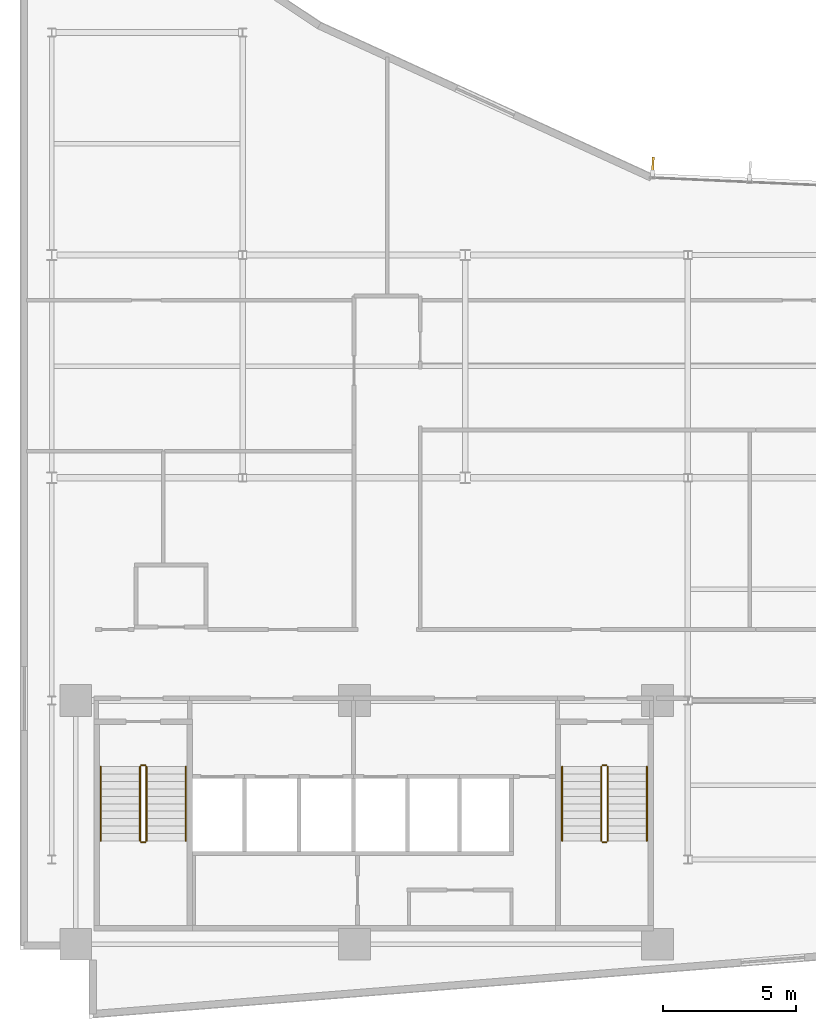
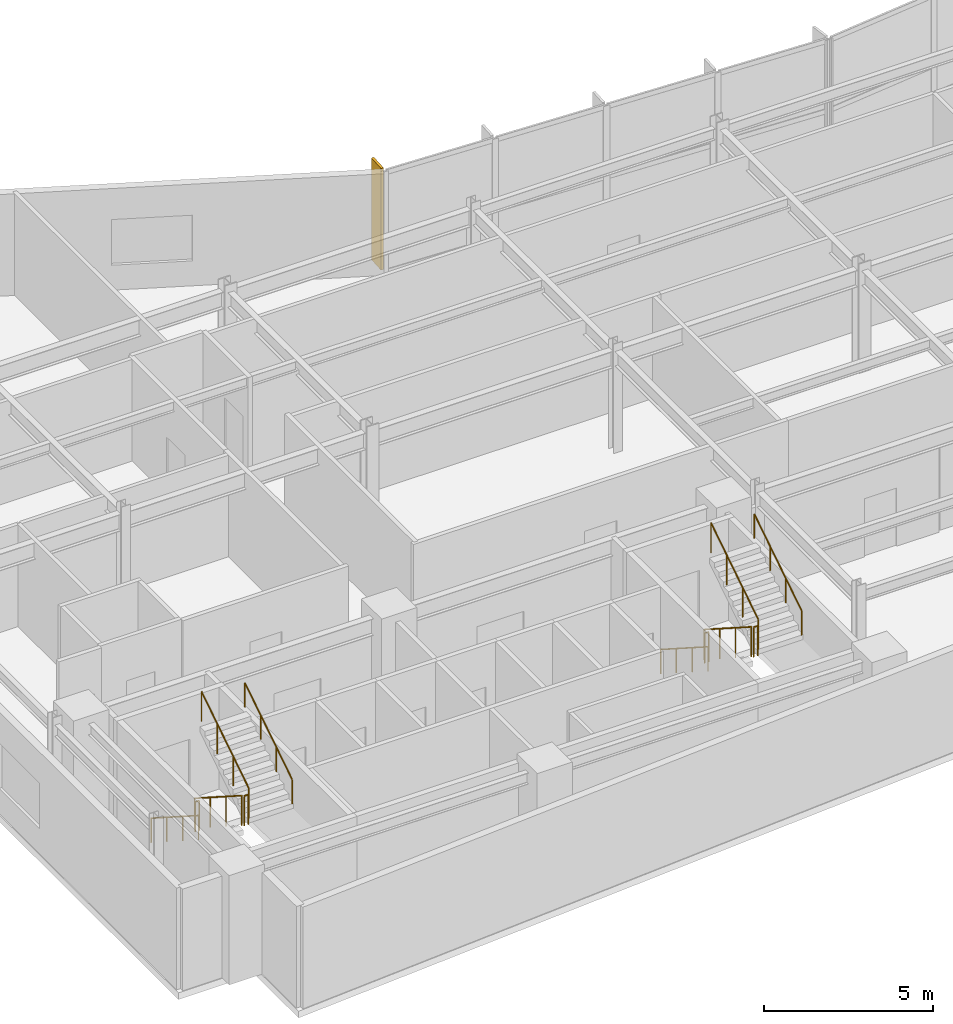
# One storey, part 13 of 16: 12 railings, 1 shading device.
"""IFC4 building model written with IfcOpenShell, lengths in metres."""

from ifc_helpers import new_model, si_unit, direction, frame, origin, origin_2d, place, context, subcontext, project, spatial, rectangle, circle, extrude, material, layer, layer_set, type_object, element, save


model = new_model("IFC4")

# Units and contexts
model_context = context("Model", 3, precision=1e-05, world=origin(), true_north=direction((0.0, 1.0)))
body_context = subcontext(model_context, "Body", "Model", "MODEL_VIEW")
ifc_project = project(units=[si_unit("LENGTHUNIT", "METRE"), si_unit("AREAUNIT", "SQUARE_METRE"), si_unit("VOLUMEUNIT", "CUBIC_METRE"), si_unit("PLANEANGLEUNIT", "RADIAN"), si_unit("MASSUNIT", "GRAM", prefix="KILO")], contexts=[model_context])

# Site, building, storey
site_placement = place(None, origin())
site = spatial("IfcSite", under=ifc_project, at=site_placement, CompositionType="ELEMENT")
building_placement = place(site_placement, origin())
building = spatial("IfcBuilding", under=site, at=building_placement, Name="Varnakote Quay Hospital", CompositionType="ELEMENT")
storey_placement = place(building_placement, frame((0.0, 0.0, 170.5)))
storey = spatial("IfcBuildingStorey", under=building, at=storey_placement, Name="L42", CompositionType="ELEMENT", Elevation=170.5)

# Railings
ifc_material_1 = material(Name="Brushed stainless steel balustrade", Category="steel")
railing_type_1 = type_object("IfcRailingType", Name="RLG-STAIR-GUARD-1150", PredefinedType="GUARDRAIL", material=ifc_material_1)
railing_1_placement = place(storey_placement, frame((4.530029296875, 9.5, 0.179443359375)))
element("IfcRailing", 1, at=railing_1_placement, inside=storey, type_object=railing_type_1, Name="L42 ST-01 stair guard 1", PredefinedType="GUARDRAIL", context=body_context, shape_type="SweptSolid", body=[
    extrude(circle(Radius=0.02392578125, at=origin_2d()), frame((0.0, 0.0, 1.076171875), z_axis=(0.0, -0.841776520102, 0.539826166654), x_axis=(1.0, 0.0, 0.0)), (0.0, 0.0, 1.0), 3.326416015625),
    extrude(circle(Radius=0.02099609375, at=origin_2d()), origin(), (0.0, 0.0, 1.0), 1.052001953125),
    extrude(circle(Radius=0.02099609375, at=origin_2d()), frame((0.0, -0.933349609375, 0.5986328125)), (0.0, 0.0, 1.0), 1.052001953125),
    extrude(circle(Radius=0.02099609375, at=origin_2d()), frame((0.0, -1.86669921875, 1.197021484375)), (0.0, 0.0, 1.0), 1.052001953125),
    extrude(circle(Radius=0.02099609375, at=origin_2d()), frame((0.0, -2.800048828125, 1.795654296875)), (0.0, 0.0, 1.0), 1.052001953125),
])
railing_2_placement = place(storey_placement, frame((4.580078125, 6.64990234375, 1.97509765625)))
element("IfcRailing", 2, at=railing_2_placement, inside=storey, type_object=railing_type_1, Name="L42 ST-01 stair guard 2", PredefinedType="GUARDRAIL", context=body_context, shape_type="SweptSolid", body=[
    extrude(circle(Radius=0.02392578125, at=origin_2d()), frame((0.0, 0.0, 1.076171875), z_axis=(1.0, 0.0, 0.0), x_axis=(0.0, 1.0, 0.0)), (0.0, 0.0, 1.0), 0.139892578125),
    extrude(circle(Radius=0.02099609375, at=origin_2d()), origin(), (0.0, 0.0, 1.0), 1.052001953125),
    extrude(circle(Radius=0.02099609375, at=origin_2d()), frame((0.139892578125, 0.0, 0.0)), (0.0, 0.0, 1.0), 1.052001953125),
])
railing_3_placement = place(storey_placement, frame((4.77001953125, 6.699951171875, 2.154541015625)))
element("IfcRailing", 3, at=railing_3_placement, inside=storey, type_object=railing_type_1, Name="L42 ST-01 stair guard 3", PredefinedType="GUARDRAIL", context=body_context, shape_type="SweptSolid", body=[
    extrude(circle(Radius=0.02392578125, at=origin_2d()), frame((0.0, 0.0, 1.076171875), z_axis=(0.0, 0.841809871826, 0.539774156196), x_axis=(-1.0, 0.0, 0.0)), (0.0, 0.0, 1.0), 3.326171875),
    extrude(circle(Radius=0.02099609375, at=origin_2d()), origin(), (0.0, 0.0, 1.0), 1.052001953125),
    extrude(circle(Radius=0.02099609375, at=origin_2d()), frame((0.0, 0.933349609375, 0.598388671875)), (0.0, 0.0, 1.0), 1.052001953125),
    extrude(circle(Radius=0.02099609375, at=origin_2d()), frame((0.0, 1.86669921875, 1.197021484375)), (0.0, 0.0, 1.0), 1.052001953125),
    extrude(circle(Radius=0.02099609375, at=origin_2d()), frame((0.0, 2.800048828125, 1.79541015625)), (0.0, 0.0, 1.0), 1.052001953125),
])
railing_4_placement = place(storey_placement, frame((4.580078125, 9.550048828125, 0.0)))
element("IfcRailing", 4, at=railing_4_placement, inside=storey, type_object=railing_type_1, Name="L42 ST-01 stair guard 4", PredefinedType="GUARDRAIL", context=body_context, shape_type="SweptSolid", body=[
    extrude(circle(Radius=0.02392578125, at=origin_2d()), frame((0.0, 0.0, 1.076171875), z_axis=(1.0, 0.0, 0.0), x_axis=(0.0, 1.0, 0.0)), (0.0, 0.0, 1.0), 0.139892578125),
    extrude(circle(Radius=0.02099609375, at=origin_2d()), origin(), (0.0, 0.0, 1.0), 1.052001953125),
    extrude(circle(Radius=0.02099609375, at=origin_2d()), frame((0.139892578125, 0.0, 0.0)), (0.0, 0.0, 1.0), 1.052001953125),
])
railing_5_placement = place(storey_placement, frame((21.929931640625, 9.5, 0.179443359375)))
element("IfcRailing", 5, at=railing_5_placement, inside=storey, type_object=railing_type_1, Name="L42 ST-02 stair guard 1", PredefinedType="GUARDRAIL", context=body_context, shape_type="SweptSolid", body=[
    extrude(circle(Radius=0.02392578125, at=origin_2d()), frame((0.0, 0.0, 1.076171875), z_axis=(0.0, -0.841776520102, 0.539826166654), x_axis=(1.0, 0.0, 0.0)), (0.0, 0.0, 1.0), 3.326416015625),
    extrude(circle(Radius=0.02099609375, at=origin_2d()), origin(), (0.0, 0.0, 1.0), 1.052001953125),
    extrude(circle(Radius=0.02099609375, at=origin_2d()), frame((0.0, -0.933349609375, 0.5986328125)), (0.0, 0.0, 1.0), 1.052001953125),
    extrude(circle(Radius=0.02099609375, at=origin_2d()), frame((0.0, -1.86669921875, 1.197021484375)), (0.0, 0.0, 1.0), 1.052001953125),
    extrude(circle(Radius=0.02099609375, at=origin_2d()), frame((0.0, -2.800048828125, 1.795654296875)), (0.0, 0.0, 1.0), 1.052001953125),
])
railing_6_placement = place(storey_placement, frame((21.97998046875, 6.64990234375, 1.97509765625)))
element("IfcRailing", 6, at=railing_6_placement, inside=storey, type_object=railing_type_1, Name="L42 ST-02 stair guard 2", PredefinedType="GUARDRAIL", context=body_context, shape_type="SweptSolid", body=[
    extrude(circle(Radius=0.02392578125, at=origin_2d()), frame((0.0, 0.0, 1.076171875), z_axis=(1.0, 0.0, 0.0), x_axis=(0.0, 1.0, 0.0)), (0.0, 0.0, 1.0), 0.14013671875),
    extrude(circle(Radius=0.02099609375, at=origin_2d()), origin(), (0.0, 0.0, 1.0), 1.052001953125),
    extrude(circle(Radius=0.02099609375, at=origin_2d()), frame((0.14013671875, 0.0, 0.0)), (0.0, 0.0, 1.0), 1.052001953125),
])
railing_7_placement = place(storey_placement, frame((22.169921875, 6.699951171875, 2.154541015625)))
element("IfcRailing", 7, at=railing_7_placement, inside=storey, type_object=railing_type_1, Name="L42 ST-02 stair guard 3", PredefinedType="GUARDRAIL", context=body_context, shape_type="SweptSolid", body=[
    extrude(circle(Radius=0.02392578125, at=origin_2d()), frame((0.0, 0.0, 1.076171875), z_axis=(0.0, 0.841809871826, 0.539774156196), x_axis=(-1.0, 0.0, 0.0)), (0.0, 0.0, 1.0), 3.326171875),
    extrude(circle(Radius=0.02099609375, at=origin_2d()), origin(), (0.0, 0.0, 1.0), 1.052001953125),
    extrude(circle(Radius=0.02099609375, at=origin_2d()), frame((0.0, 0.933349609375, 0.598388671875)), (0.0, 0.0, 1.0), 1.052001953125),
    extrude(circle(Radius=0.02099609375, at=origin_2d()), frame((0.0, 1.86669921875, 1.197021484375)), (0.0, 0.0, 1.0), 1.052001953125),
    extrude(circle(Radius=0.02099609375, at=origin_2d()), frame((0.0, 2.800048828125, 1.79541015625)), (0.0, 0.0, 1.0), 1.052001953125),
])
railing_8_placement = place(storey_placement, frame((21.97998046875, 9.550048828125, 0.0)))
element("IfcRailing", 8, at=railing_8_placement, inside=storey, type_object=railing_type_1, Name="L42 ST-02 stair guard 4", PredefinedType="GUARDRAIL", context=body_context, shape_type="SweptSolid", body=[
    extrude(circle(Radius=0.02392578125, at=origin_2d()), frame((0.0, 0.0, 1.076171875), z_axis=(1.0, 0.0, 0.0), x_axis=(0.0, 1.0, 0.0)), (0.0, 0.0, 1.0), 0.14013671875),
    extrude(circle(Radius=0.02099609375, at=origin_2d()), origin(), (0.0, 0.0, 1.0), 1.052001953125),
    extrude(circle(Radius=0.02099609375, at=origin_2d()), frame((0.14013671875, 0.0, 0.0)), (0.0, 0.0, 1.0), 1.052001953125),
])
ifc_material_2 = material(Name="Brushed stainless steel handrail", Category="steel")
railing_type_2 = type_object("IfcRailingType", Name="RLG-STAIR-HND-920", PredefinedType="HANDRAIL", material=ifc_material_2)
railing_9_placement = place(storey_placement, frame((3.050048828125, 9.5, 0.179443359375)))
element("IfcRailing", 9, at=railing_9_placement, inside=storey, type_object=railing_type_2, Name="L42 ST-01 stair handrail 1", PredefinedType="HANDRAIL", context=body_context, shape_type="SweptSolid", body=[
    extrude(circle(Radius=0.02392578125, at=origin_2d()), frame((0.0, 0.0, 0.8759765625), z_axis=(0.0, -0.841776520102, 0.539826166654), x_axis=(1.0, 0.0, 0.0)), (0.0, 0.0, 1.0), 3.326416015625),
    extrude(circle(Radius=0.02099609375, at=origin_2d()), origin(), (0.0, 0.0, 1.0), 0.851806640625),
    extrude(circle(Radius=0.02099609375, at=origin_2d()), frame((0.0, -0.933349609375, 0.5986328125)), (0.0, 0.0, 1.0), 0.851806640625),
    extrude(circle(Radius=0.02099609375, at=origin_2d()), frame((0.0, -1.86669921875, 1.197021484375)), (0.0, 0.0, 1.0), 0.851806640625),
    extrude(circle(Radius=0.02099609375, at=origin_2d()), frame((0.0, -2.800048828125, 1.795654296875)), (0.0, 0.0, 1.0), 0.851806640625),
])
railing_10_placement = place(storey_placement, frame((6.25, 6.699951171875, 2.154541015625)))
element("IfcRailing", 10, at=railing_10_placement, inside=storey, type_object=railing_type_2, Name="L42 ST-01 stair handrail 2", PredefinedType="HANDRAIL", context=body_context, shape_type="SweptSolid", body=[
    extrude(circle(Radius=0.02392578125, at=origin_2d()), frame((0.0, 0.0, 0.8759765625), z_axis=(0.0, 0.841809871826, 0.539774156196), x_axis=(-1.0, 0.0, 0.0)), (0.0, 0.0, 1.0), 3.326171875),
    extrude(circle(Radius=0.02099609375, at=origin_2d()), origin(), (0.0, 0.0, 1.0), 0.851806640625),
    extrude(circle(Radius=0.02099609375, at=origin_2d()), frame((0.0, 0.933349609375, 0.598388671875)), (0.0, 0.0, 1.0), 0.851806640625),
    extrude(circle(Radius=0.02099609375, at=origin_2d()), frame((0.0, 1.86669921875, 1.197021484375)), (0.0, 0.0, 1.0), 0.851806640625),
    extrude(circle(Radius=0.02099609375, at=origin_2d()), frame((0.0, 2.800048828125, 1.79541015625)), (0.0, 0.0, 1.0), 0.851806640625),
])
railing_11_placement = place(storey_placement, frame((20.449951171875, 9.5, 0.179443359375)))
element("IfcRailing", 11, at=railing_11_placement, inside=storey, type_object=railing_type_2, Name="L42 ST-02 stair handrail 1", PredefinedType="HANDRAIL", context=body_context, shape_type="SweptSolid", body=[
    extrude(circle(Radius=0.02392578125, at=origin_2d()), frame((0.0, 0.0, 0.8759765625), z_axis=(0.0, -0.841776520102, 0.539826166654), x_axis=(1.0, 0.0, 0.0)), (0.0, 0.0, 1.0), 3.326416015625),
    extrude(circle(Radius=0.02099609375, at=origin_2d()), origin(), (0.0, 0.0, 1.0), 0.851806640625),
    extrude(circle(Radius=0.02099609375, at=origin_2d()), frame((0.0, -0.933349609375, 0.5986328125)), (0.0, 0.0, 1.0), 0.851806640625),
    extrude(circle(Radius=0.02099609375, at=origin_2d()), frame((0.0, -1.86669921875, 1.197021484375)), (0.0, 0.0, 1.0), 0.851806640625),
    extrude(circle(Radius=0.02099609375, at=origin_2d()), frame((0.0, -2.800048828125, 1.795654296875)), (0.0, 0.0, 1.0), 0.851806640625),
])
railing_12_placement = place(storey_placement, frame((23.64990234375, 6.699951171875, 2.154541015625)))
element("IfcRailing", 12, at=railing_12_placement, inside=storey, type_object=railing_type_2, Name="L42 ST-02 stair handrail 2", PredefinedType="HANDRAIL", context=body_context, shape_type="SweptSolid", body=[
    extrude(circle(Radius=0.02392578125, at=origin_2d()), frame((0.0, 0.0, 0.8759765625), z_axis=(0.0, 0.841809871826, 0.539774156196), x_axis=(-1.0, 0.0, 0.0)), (0.0, 0.0, 1.0), 3.326171875),
    extrude(circle(Radius=0.02099609375, at=origin_2d()), origin(), (0.0, 0.0, 1.0), 0.851806640625),
    extrude(circle(Radius=0.02099609375, at=origin_2d()), frame((0.0, 0.933349609375, 0.598388671875)), (0.0, 0.0, 1.0), 0.851806640625),
    extrude(circle(Radius=0.02099609375, at=origin_2d()), frame((0.0, 1.86669921875, 1.197021484375)), (0.0, 0.0, 1.0), 0.851806640625),
    extrude(circle(Radius=0.02099609375, at=origin_2d()), frame((0.0, 2.800048828125, 1.79541015625)), (0.0, 0.0, 1.0), 0.851806640625),
])

# Shading device
ifc_material_3 = material(Name="Anodised aluminium 6063-T6 Bronze", Category="aluminium")
ifc_layer = layer(ifc_material_3, 0.0849609375)
ifc_layer_set = layer_set([ifc_layer], Name="Anodised aluminium 6063-T6 Bronze")
shading_device_type = type_object("IfcShadingDeviceType", Name="SHD-BRONZE-FIN-620", PredefinedType="USERDEFINED", material=ifc_layer_set)
shading_device_placement = place(storey_placement, frame((23.876220703125, 32.183349609375, 0.0), z_axis=(0.0, 0.0, 1.0), x_axis=(-0.044839922168, -0.998994184858, 0.0)))
element("IfcShadingDevice", 13, at=shading_device_placement, inside=storey, type_object=shading_device_type, Name="L42 Anodised Bronze Vertical Shading FIN", ObjectType="FIN", PredefinedType="USERDEFINED", context=body_context, shape_type="SweptSolid", body=[
    extrude(rectangle(XDim=0.6201171875, YDim=0.0849609375, at=origin_2d()), origin(), (0.0, 0.0, 1.0), 3.669921875),
])

save(model, "model.ifc")
